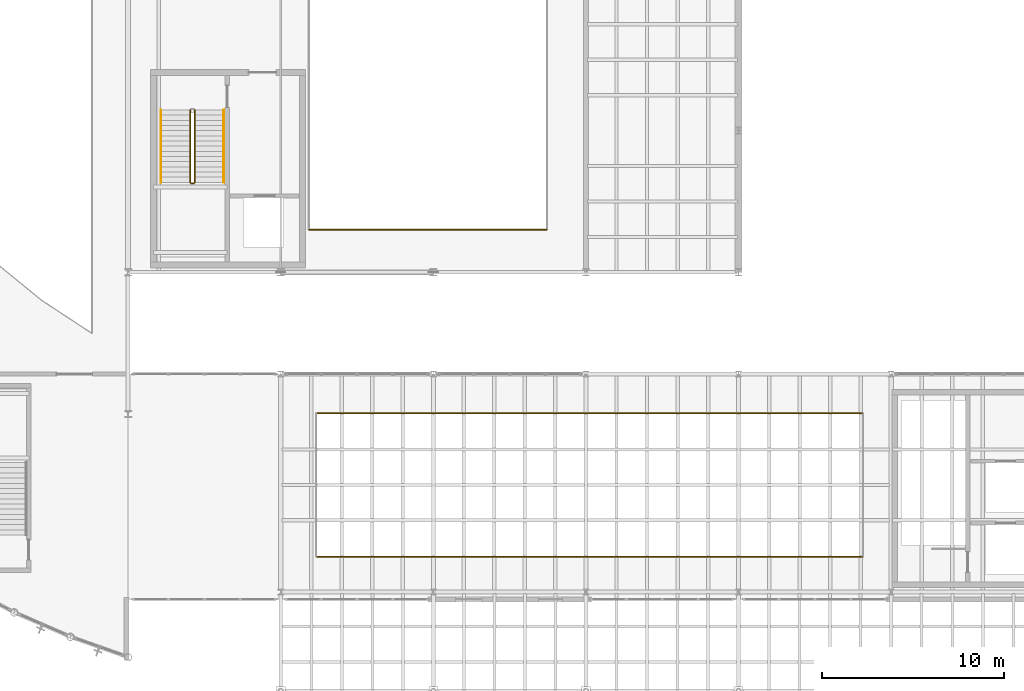
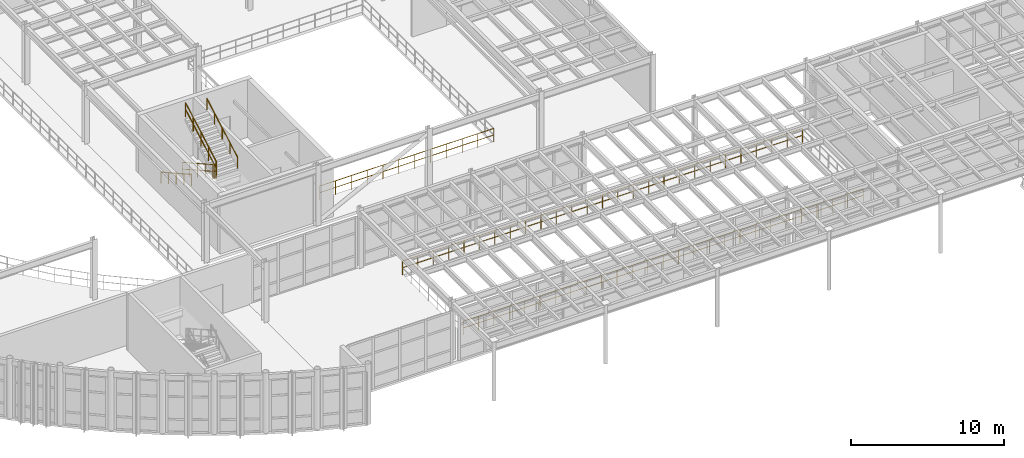
# One storey, part 98 of 105: 8 railings.
"""IFC4 building model written with IfcOpenShell, lengths in metres."""

from ifc_helpers import new_model, si_unit, direction, frame, origin, origin_2d, place, context, subcontext, project, spatial, circle, extrude, material, layer, layer_set, type_object, element, save


model = new_model("IFC4")

# Units and contexts
model_context = context("Model", 3, precision=1e-05, world=origin(), true_north=direction((0.0, 1.0)))
body_context = subcontext(model_context, "Body", "Model", "MODEL_VIEW")
ifc_project = project(units=[si_unit("LENGTHUNIT", "METRE"), si_unit("AREAUNIT", "SQUARE_METRE"), si_unit("VOLUMEUNIT", "CUBIC_METRE"), si_unit("PLANEANGLEUNIT", "RADIAN"), si_unit("MASSUNIT", "GRAM", prefix="KILO")], contexts=[model_context])

# Site, building, storey
site_placement = place(None, origin())
site = spatial("IfcSite", under=ifc_project, at=site_placement, CompositionType="ELEMENT")
building_placement = place(site_placement, origin())
building = spatial("IfcBuilding", under=site, at=building_placement, Name="Selat Folded Stagehouse", CompositionType="ELEMENT")
storey_placement = place(building_placement, frame((0.0, 0.0, 10.199951171875)))
storey = spatial("IfcBuildingStorey", under=building, at=storey_placement, Name="L02", CompositionType="ELEMENT", Elevation=10.199951171875)

# Railings
ifc_material_1 = material(Name="Bronze-anodised steel balustrade", Category="steel")
ifc_layer_1 = layer(ifc_material_1, 0.06494140625)
ifc_layer_set_1 = layer_set([ifc_layer_1], Name="Bronze-anodised steel balustrade")
railing_type_1 = type_object("IfcRailingType", Name="RLG-BAL-1120", PredefinedType="BALUSTRADE", material=ifc_layer_set_1)
railing_1_placement = place(storey_placement, frame((43.949951171875, 7.75, 0.0)))
element("IfcRailing", 1, at=railing_1_placement, inside=storey, type_object=railing_type_1, Name="L02 protective guard railing 038", PredefinedType="BALUSTRADE", context=body_context, shape_type="SweptSolid", body=[
    extrude(circle(Radius=0.02392578125, at=origin_2d()), frame((0.0, 0.0, 1.09619140625), z_axis=(1.0, 0.0, 0.0), x_axis=(0.0, 1.0, 0.0)), (0.0, 0.0, 1.0), 30.10009765625),
    extrude(circle(Radius=0.02392578125, at=origin_2d()), frame((0.0, 0.0, 0.56005859375), z_axis=(1.0, 0.0, 0.0), x_axis=(0.0, 1.0, 0.0)), (0.0, 0.0, 1.0), 30.10009765625),
    extrude(circle(Radius=0.02099609375, at=origin_2d()), origin(), (0.0, 0.0, 1.0), 1.072021484375),
    extrude(circle(Radius=0.02099609375, at=origin_2d()), frame((1.15771484375, 0.0, 0.0)), (0.0, 0.0, 1.0), 1.072021484375),
    extrude(circle(Radius=0.02099609375, at=origin_2d()), frame((2.3154296875, 0.0, 0.0)), (0.0, 0.0, 1.0), 1.072021484375),
    extrude(circle(Radius=0.02099609375, at=origin_2d()), frame((3.47314453125, 0.0, 0.0)), (0.0, 0.0, 1.0), 1.072021484375),
    extrude(circle(Radius=0.02099609375, at=origin_2d()), frame((4.630859375, 0.0, 0.0)), (0.0, 0.0, 1.0), 1.072021484375),
    extrude(circle(Radius=0.02099609375, at=origin_2d()), frame((5.78857421875, 0.0, 0.0)), (0.0, 0.0, 1.0), 1.072021484375),
    extrude(circle(Radius=0.02099609375, at=origin_2d()), frame((6.9462890625, 0.0, 0.0)), (0.0, 0.0, 1.0), 1.072021484375),
    extrude(circle(Radius=0.02099609375, at=origin_2d()), frame((8.103759765625, 0.0, 0.0)), (0.0, 0.0, 1.0), 1.072021484375),
    extrude(circle(Radius=0.02099609375, at=origin_2d()), frame((9.261474609375, 0.0, 0.0)), (0.0, 0.0, 1.0), 1.072021484375),
    extrude(circle(Radius=0.02099609375, at=origin_2d()), frame((10.419189453125, 0.0, 0.0)), (0.0, 0.0, 1.0), 1.072021484375),
    extrude(circle(Radius=0.02099609375, at=origin_2d()), frame((11.576904296875, 0.0, 0.0)), (0.0, 0.0, 1.0), 1.072021484375),
    extrude(circle(Radius=0.02099609375, at=origin_2d()), frame((12.734619140625, 0.0, 0.0)), (0.0, 0.0, 1.0), 1.072021484375),
    extrude(circle(Radius=0.02099609375, at=origin_2d()), frame((13.892333984375, 0.0, 0.0)), (0.0, 0.0, 1.0), 1.072021484375),
    extrude(circle(Radius=0.02099609375, at=origin_2d()), frame((15.050048828125, 0.0, 0.0)), (0.0, 0.0, 1.0), 1.072021484375),
    extrude(circle(Radius=0.02099609375, at=origin_2d()), frame((16.207763671875, 0.0, 0.0)), (0.0, 0.0, 1.0), 1.072021484375),
    extrude(circle(Radius=0.02099609375, at=origin_2d()), frame((17.365478515625, 0.0, 0.0)), (0.0, 0.0, 1.0), 1.072021484375),
    extrude(circle(Radius=0.02099609375, at=origin_2d()), frame((18.523193359375, 0.0, 0.0)), (0.0, 0.0, 1.0), 1.072021484375),
    extrude(circle(Radius=0.02099609375, at=origin_2d()), frame((19.680908203125, 0.0, 0.0)), (0.0, 0.0, 1.0), 1.072021484375),
    extrude(circle(Radius=0.02099609375, at=origin_2d()), frame((20.838623046875, 0.0, 0.0)), (0.0, 0.0, 1.0), 1.072021484375),
    extrude(circle(Radius=0.02099609375, at=origin_2d()), frame((21.996337890625, 0.0, 0.0)), (0.0, 0.0, 1.0), 1.072021484375),
    extrude(circle(Radius=0.02099609375, at=origin_2d()), frame((23.15380859375, 0.0, 0.0)), (0.0, 0.0, 1.0), 1.072021484375),
    extrude(circle(Radius=0.02099609375, at=origin_2d()), frame((24.3115234375, 0.0, 0.0)), (0.0, 0.0, 1.0), 1.072021484375),
    extrude(circle(Radius=0.02099609375, at=origin_2d()), frame((25.46923828125, 0.0, 0.0)), (0.0, 0.0, 1.0), 1.072021484375),
    extrude(circle(Radius=0.02099609375, at=origin_2d()), frame((26.626953125, 0.0, 0.0)), (0.0, 0.0, 1.0), 1.072021484375),
    extrude(circle(Radius=0.02099609375, at=origin_2d()), frame((27.78466796875, 0.0, 0.0)), (0.0, 0.0, 1.0), 1.072021484375),
    extrude(circle(Radius=0.02099609375, at=origin_2d()), frame((28.9423828125, 0.0, 0.0)), (0.0, 0.0, 1.0), 1.072021484375),
    extrude(circle(Radius=0.02099609375, at=origin_2d()), frame((30.10009765625, 0.0, 0.0)), (0.0, 0.0, 1.0), 1.072021484375),
])
railing_2_placement = place(storey_placement, frame((74.050048828125, 15.64990234375, 0.0)))
element("IfcRailing", 2, at=railing_2_placement, inside=storey, type_object=railing_type_1, Name="L02 protective guard railing 040", PredefinedType="BALUSTRADE", context=body_context, shape_type="SweptSolid", body=[
    extrude(circle(Radius=0.02392578125, at=origin_2d()), frame((0.0, 0.0, 1.09619140625), z_axis=(-1.0, 0.0, 0.0), x_axis=(0.0, -1.0, 0.0)), (0.0, 0.0, 1.0), 30.10009765625),
    extrude(circle(Radius=0.02392578125, at=origin_2d()), frame((0.0, 0.0, 0.56005859375), z_axis=(-1.0, 0.0, 0.0), x_axis=(0.0, -1.0, 0.0)), (0.0, 0.0, 1.0), 30.10009765625),
    extrude(circle(Radius=0.02099609375, at=origin_2d()), origin(), (0.0, 0.0, 1.0), 1.072021484375),
    extrude(circle(Radius=0.02099609375, at=origin_2d()), frame((-1.15771484375, 0.0, 0.0)), (0.0, 0.0, 1.0), 1.072021484375),
    extrude(circle(Radius=0.02099609375, at=origin_2d()), frame((-2.3154296875, 0.0, 0.0)), (0.0, 0.0, 1.0), 1.072021484375),
    extrude(circle(Radius=0.02099609375, at=origin_2d()), frame((-3.47314453125, 0.0, 0.0)), (0.0, 0.0, 1.0), 1.072021484375),
    extrude(circle(Radius=0.02099609375, at=origin_2d()), frame((-4.630859375, 0.0, 0.0)), (0.0, 0.0, 1.0), 1.072021484375),
    extrude(circle(Radius=0.02099609375, at=origin_2d()), frame((-5.78857421875, 0.0, 0.0)), (0.0, 0.0, 1.0), 1.072021484375),
    extrude(circle(Radius=0.02099609375, at=origin_2d()), frame((-6.9462890625, 0.0, 0.0)), (0.0, 0.0, 1.0), 1.072021484375),
    extrude(circle(Radius=0.02099609375, at=origin_2d()), frame((-8.103759765625, 0.0, 0.0)), (0.0, 0.0, 1.0), 1.072021484375),
    extrude(circle(Radius=0.02099609375, at=origin_2d()), frame((-9.261474609375, 0.0, 0.0)), (0.0, 0.0, 1.0), 1.072021484375),
    extrude(circle(Radius=0.02099609375, at=origin_2d()), frame((-10.419189453125, 0.0, 0.0)), (0.0, 0.0, 1.0), 1.072021484375),
    extrude(circle(Radius=0.02099609375, at=origin_2d()), frame((-11.576904296875, 0.0, 0.0)), (0.0, 0.0, 1.0), 1.072021484375),
    extrude(circle(Radius=0.02099609375, at=origin_2d()), frame((-12.734619140625, 0.0, 0.0)), (0.0, 0.0, 1.0), 1.072021484375),
    extrude(circle(Radius=0.02099609375, at=origin_2d()), frame((-13.892333984375, 0.0, 0.0)), (0.0, 0.0, 1.0), 1.072021484375),
    extrude(circle(Radius=0.02099609375, at=origin_2d()), frame((-15.050048828125, 0.0, 0.0)), (0.0, 0.0, 1.0), 1.072021484375),
    extrude(circle(Radius=0.02099609375, at=origin_2d()), frame((-16.207763671875, 0.0, 0.0)), (0.0, 0.0, 1.0), 1.072021484375),
    extrude(circle(Radius=0.02099609375, at=origin_2d()), frame((-17.365478515625, 0.0, 0.0)), (0.0, 0.0, 1.0), 1.072021484375),
    extrude(circle(Radius=0.02099609375, at=origin_2d()), frame((-18.523193359375, 0.0, 0.0)), (0.0, 0.0, 1.0), 1.072021484375),
    extrude(circle(Radius=0.02099609375, at=origin_2d()), frame((-19.680908203125, 0.0, 0.0)), (0.0, 0.0, 1.0), 1.072021484375),
    extrude(circle(Radius=0.02099609375, at=origin_2d()), frame((-20.838623046875, 0.0, 0.0)), (0.0, 0.0, 1.0), 1.072021484375),
    extrude(circle(Radius=0.02099609375, at=origin_2d()), frame((-21.996337890625, 0.0, 0.0)), (0.0, 0.0, 1.0), 1.072021484375),
    extrude(circle(Radius=0.02099609375, at=origin_2d()), frame((-23.15380859375, 0.0, 0.0)), (0.0, 0.0, 1.0), 1.072021484375),
    extrude(circle(Radius=0.02099609375, at=origin_2d()), frame((-24.3115234375, 0.0, 0.0)), (0.0, 0.0, 1.0), 1.072021484375),
    extrude(circle(Radius=0.02099609375, at=origin_2d()), frame((-25.46923828125, 0.0, 0.0)), (0.0, 0.0, 1.0), 1.072021484375),
    extrude(circle(Radius=0.02099609375, at=origin_2d()), frame((-26.626953125, 0.0, 0.0)), (0.0, 0.0, 1.0), 1.072021484375),
    extrude(circle(Radius=0.02099609375, at=origin_2d()), frame((-27.78466796875, 0.0, 0.0)), (0.0, 0.0, 1.0), 1.072021484375),
    extrude(circle(Radius=0.02099609375, at=origin_2d()), frame((-28.9423828125, 0.0, 0.0)), (0.0, 0.0, 1.0), 1.072021484375),
    extrude(circle(Radius=0.02099609375, at=origin_2d()), frame((-30.10009765625, 0.0, 0.0)), (0.0, 0.0, 1.0), 1.072021484375),
])
railing_3_placement = place(storey_placement, frame((37.010009765625, 32.340087890625, 0.16015625)))
element("IfcRailing", 3, at=railing_3_placement, inside=storey, type_object=railing_type_1, Name="L02 ST-01 stair well guard 1", PredefinedType="BALUSTRADE", context=body_context, shape_type="SweptSolid", body=[
    extrude(circle(Radius=0.02392578125, at=origin_2d()), frame((0.0, 0.0, 1.09619140625), z_axis=(0.0, -0.871984184956, 0.489534044972), x_axis=(1.0, 0.0, 0.0)), (0.0, 0.0, 1.0), 4.57568359375),
    extrude(circle(Radius=0.02392578125, at=origin_2d()), frame((0.0, 0.0, 0.56005859375), z_axis=(0.0, -0.871984184956, 0.489534044972), x_axis=(1.0, 0.0, 0.0)), (0.0, 0.0, 1.0), 4.57568359375),
    extrude(circle(Radius=0.02099609375, at=origin_2d()), origin(), (0.0, 0.0, 1.0), 1.072021484375),
    extrude(circle(Radius=0.02099609375, at=origin_2d()), frame((0.0, -0.99755859375, 0.56005859375)), (0.0, 0.0, 1.0), 1.072021484375),
    extrude(circle(Radius=0.02099609375, at=origin_2d()), frame((0.0, -1.9951171875, 1.1201171875)), (0.0, 0.0, 1.0), 1.072021484375),
    extrude(circle(Radius=0.02099609375, at=origin_2d()), frame((0.0, -2.992431640625, 1.679931640625)), (0.0, 0.0, 1.0), 1.072021484375),
    extrude(circle(Radius=0.02099609375, at=origin_2d()), frame((0.0, -3.989990234375, 2.239990234375)), (0.0, 0.0, 1.0), 1.072021484375),
])
railing_4_placement = place(storey_placement, frame((37.06005859375, 28.300048828125, 2.400146484375)))
element("IfcRailing", 4, at=railing_4_placement, inside=storey, type_object=railing_type_1, Name="L02 ST-01 stair well guard 2", PredefinedType="BALUSTRADE", context=body_context, shape_type="SweptSolid", body=[
    extrude(circle(Radius=0.02392578125, at=origin_2d()), frame((0.0, 0.0, 1.09619140625), z_axis=(1.0, 0.0, 0.0), x_axis=(0.0, 1.0, 0.0)), (0.0, 0.0, 1.0), 0.159912109375),
    extrude(circle(Radius=0.02392578125, at=origin_2d()), frame((0.0, 0.0, 0.56005859375), z_axis=(1.0, 0.0, 0.0), x_axis=(0.0, 1.0, 0.0)), (0.0, 0.0, 1.0), 0.159912109375),
    extrude(circle(Radius=0.02099609375, at=origin_2d()), origin(), (0.0, 0.0, 1.0), 1.072021484375),
    extrude(circle(Radius=0.02099609375, at=origin_2d()), frame((0.159912109375, 0.0, 0.0)), (0.0, 0.0, 1.0), 1.072021484375),
])
railing_5_placement = place(storey_placement, frame((37.27001953125, 28.35009765625, 2.56005859375)))
element("IfcRailing", 5, at=railing_5_placement, inside=storey, type_object=railing_type_1, Name="L02 ST-01 stair well guard 3", PredefinedType="BALUSTRADE", context=body_context, shape_type="SweptSolid", body=[
    extrude(circle(Radius=0.02392578125, at=origin_2d()), frame((0.0, 0.0, 1.09619140625), z_axis=(0.0, 0.871984184956, 0.489534044972), x_axis=(-1.0, 0.0, 0.0)), (0.0, 0.0, 1.0), 4.57568359375),
    extrude(circle(Radius=0.02392578125, at=origin_2d()), frame((0.0, 0.0, 0.56005859375), z_axis=(0.0, 0.871984184956, 0.489534044972), x_axis=(-1.0, 0.0, 0.0)), (0.0, 0.0, 1.0), 4.57568359375),
    extrude(circle(Radius=0.02099609375, at=origin_2d()), origin(), (0.0, 0.0, 1.0), 1.072021484375),
    extrude(circle(Radius=0.02099609375, at=origin_2d()), frame((0.0, 0.99755859375, 0.56005859375)), (0.0, 0.0, 1.0), 1.072021484375),
    extrude(circle(Radius=0.02099609375, at=origin_2d()), frame((0.0, 1.9951171875, 1.1201171875)), (0.0, 0.0, 1.0), 1.072021484375),
    extrude(circle(Radius=0.02099609375, at=origin_2d()), frame((0.0, 2.992431640625, 1.679931640625)), (0.0, 0.0, 1.0), 1.072021484375),
    extrude(circle(Radius=0.02099609375, at=origin_2d()), frame((0.0, 3.989990234375, 2.239990234375)), (0.0, 0.0, 1.0), 1.072021484375),
])
ifc_material_2 = material(Name="Stainless steel and laminated glass", Category="steel")
ifc_layer_2 = layer(ifc_material_2, 0.06005859375)
ifc_layer_set_2 = layer_set([ifc_layer_2], Name="Stainless steel and laminated glass")
railing_type_2 = type_object("IfcRailingType", Name="RLG-GUARD-1100", PredefinedType="GUARDRAIL", material=ifc_layer_set_2)
railing_6_placement = place(storey_placement, frame((43.550048828125, 25.75, 0.0)))
element("IfcRailing", 6, at=railing_6_placement, inside=storey, type_object=railing_type_2, Name="L02 protective guard railing 058", PredefinedType="GUARDRAIL", context=body_context, shape_type="SweptSolid", body=[
    extrude(circle(Radius=0.02392578125, at=origin_2d()), frame((0.0, 0.0, 1.076171875), z_axis=(1.0, 0.0, 0.0), x_axis=(0.0, 1.0, 0.0)), (0.0, 0.0, 1.0), 13.099853515625),
    extrude(circle(Radius=0.02392578125, at=origin_2d()), frame((0.0, 0.0, 0.550048828125), z_axis=(1.0, 0.0, 0.0), x_axis=(0.0, 1.0, 0.0)), (0.0, 0.0, 1.0), 13.099853515625),
    extrude(circle(Radius=0.02099609375, at=origin_2d()), origin(), (0.0, 0.0, 1.0), 1.052001953125),
    extrude(circle(Radius=0.02099609375, at=origin_2d()), frame((1.19091796875, 0.0, 0.0)), (0.0, 0.0, 1.0), 1.052001953125),
    extrude(circle(Radius=0.02099609375, at=origin_2d()), frame((2.3818359375, 0.0, 0.0)), (0.0, 0.0, 1.0), 1.052001953125),
    extrude(circle(Radius=0.02099609375, at=origin_2d()), frame((3.57275390625, 0.0, 0.0)), (0.0, 0.0, 1.0), 1.052001953125),
    extrude(circle(Radius=0.02099609375, at=origin_2d()), frame((4.763671875, 0.0, 0.0)), (0.0, 0.0, 1.0), 1.052001953125),
    extrude(circle(Radius=0.02099609375, at=origin_2d()), frame((5.95458984375, 0.0, 0.0)), (0.0, 0.0, 1.0), 1.052001953125),
    extrude(circle(Radius=0.02099609375, at=origin_2d()), frame((7.145263671875, 0.0, 0.0)), (0.0, 0.0, 1.0), 1.052001953125),
    extrude(circle(Radius=0.02099609375, at=origin_2d()), frame((8.336181640625, 0.0, 0.0)), (0.0, 0.0, 1.0), 1.052001953125),
    extrude(circle(Radius=0.02099609375, at=origin_2d()), frame((9.527099609375, 0.0, 0.0)), (0.0, 0.0, 1.0), 1.052001953125),
    extrude(circle(Radius=0.02099609375, at=origin_2d()), frame((10.718017578125, 0.0, 0.0)), (0.0, 0.0, 1.0), 1.052001953125),
    extrude(circle(Radius=0.02099609375, at=origin_2d()), frame((11.908935546875, 0.0, 0.0)), (0.0, 0.0, 1.0), 1.052001953125),
    extrude(circle(Radius=0.02099609375, at=origin_2d()), frame((13.099853515625, 0.0, 0.0)), (0.0, 0.0, 1.0), 1.052001953125),
])
ifc_material_3 = material(Name="Brushed stainless steel 1.4301", Category="steel")
ifc_layer_3 = layer(ifc_material_3, 0.048095703125)
ifc_layer_set_3 = layer_set([ifc_layer_3], Name="Brushed stainless steel 1.4301")
railing_type_3 = type_object("IfcRailingType", Name="RLG-HANDRAIL-900", PredefinedType="HANDRAIL", material=ifc_layer_set_3)
railing_7_placement = place(storey_placement, frame((35.409912109375, 32.340087890625, 0.16015625)))
element("IfcRailing", 7, at=railing_7_placement, inside=storey, type_object=railing_type_3, Name="L02 ST-01 wall handrail 1", PredefinedType="HANDRAIL", context=body_context, shape_type="SweptSolid", body=[
    extrude(circle(Radius=0.02392578125, at=origin_2d()), frame((0.0, 0.0, 0.8759765625), z_axis=(0.0, -0.871984184956, 0.489534044972), x_axis=(1.0, 0.0, 0.0)), (0.0, 0.0, 1.0), 4.57568359375),
    extrude(circle(Radius=0.02099609375, at=origin_2d()), origin(), (0.0, 0.0, 1.0), 0.851806640625),
    extrude(circle(Radius=0.02099609375, at=origin_2d()), frame((0.0, -0.99755859375, 0.56005859375)), (0.0, 0.0, 1.0), 0.851806640625),
    extrude(circle(Radius=0.02099609375, at=origin_2d()), frame((0.0, -1.9951171875, 1.1201171875)), (0.0, 0.0, 1.0), 0.851806640625),
    extrude(circle(Radius=0.02099609375, at=origin_2d()), frame((0.0, -2.992431640625, 1.679931640625)), (0.0, 0.0, 1.0), 0.851806640625),
    extrude(circle(Radius=0.02099609375, at=origin_2d()), frame((0.0, -3.989990234375, 2.239990234375)), (0.0, 0.0, 1.0), 0.851806640625),
])
railing_8_placement = place(storey_placement, frame((38.8701171875, 28.35009765625, 2.56005859375)))
element("IfcRailing", 8, at=railing_8_placement, inside=storey, type_object=railing_type_3, Name="L02 ST-01 wall handrail 2", PredefinedType="HANDRAIL", context=body_context, shape_type="SweptSolid", body=[
    extrude(circle(Radius=0.02392578125, at=origin_2d()), frame((0.0, 0.0, 0.8759765625), z_axis=(0.0, 0.871984184956, 0.489534044972), x_axis=(-1.0, 0.0, 0.0)), (0.0, 0.0, 1.0), 4.57568359375),
    extrude(circle(Radius=0.02099609375, at=origin_2d()), origin(), (0.0, 0.0, 1.0), 0.851806640625),
    extrude(circle(Radius=0.02099609375, at=origin_2d()), frame((0.0, 0.99755859375, 0.56005859375)), (0.0, 0.0, 1.0), 0.851806640625),
    extrude(circle(Radius=0.02099609375, at=origin_2d()), frame((0.0, 1.9951171875, 1.1201171875)), (0.0, 0.0, 1.0), 0.851806640625),
    extrude(circle(Radius=0.02099609375, at=origin_2d()), frame((0.0, 2.992431640625, 1.679931640625)), (0.0, 0.0, 1.0), 0.851806640625),
    extrude(circle(Radius=0.02099609375, at=origin_2d()), frame((0.0, 3.989990234375, 2.239990234375)), (0.0, 0.0, 1.0), 0.851806640625),
])

save(model, "model.ifc")
